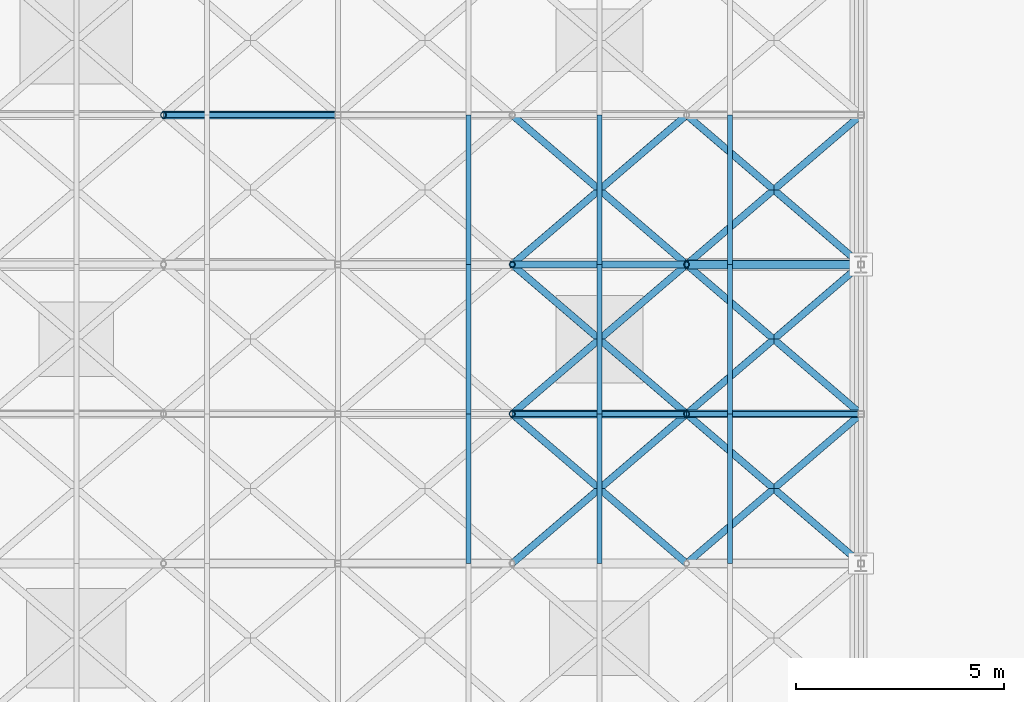
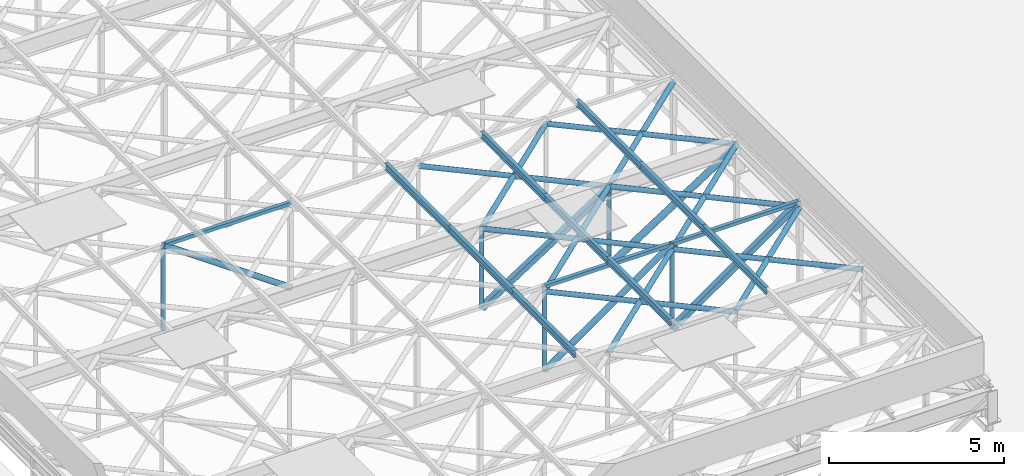
# One storey, part 12 of 45: 34 members.
"""IFC4 building model written with IfcOpenShell, lengths in metres."""

from ifc_helpers import new_model, si_unit, derived_unit, direction, frame, origin, origin_2d, place, context, subcontext, project, spatial, hollow_rectangle, hollow_circle, i_section, extrude, material, material_profile, profile_set, type_object, element, save


model = new_model("IFC4")

# Units and contexts
model_context = context("Model", 3, precision=1e-05, world=origin(), true_north=direction((0.0, 1.0)))
body_context = subcontext(model_context, "Body", "Model", "MODEL_VIEW")
ifc_project = project(units=[si_unit("LENGTHUNIT", "METRE"), si_unit("AREAUNIT", "SQUARE_METRE"), si_unit("VOLUMEUNIT", "CUBIC_METRE"), si_unit("PLANEANGLEUNIT", "RADIAN"), si_unit("MASSUNIT", "GRAM", prefix="KILO"), derived_unit("THERMALTRANSMITTANCEUNIT", [(si_unit("MASSUNIT", "GRAM", prefix="KILO"), 1), (si_unit("TIMEUNIT", "SECOND"), -3), (si_unit("THERMODYNAMICTEMPERATUREUNIT", "KELVIN"), -1)])], contexts=[model_context])

# Site, building, storey
site_placement = place(None, origin())
site = spatial("IfcSite", under=ifc_project, at=site_placement, CompositionType="ELEMENT")
building_placement = place(site_placement, origin())
building = spatial("IfcBuilding", under=site, at=building_placement, Name="Veldstrom Oceanarium and Marine Research Institute", CompositionType="ELEMENT")
storey_placement = place(building_placement, frame((0.0, 0.0, 22.199951171875)))
storey = spatial("IfcBuildingStorey", under=building, at=storey_placement, Name="L04", CompositionType="ELEMENT", Elevation=22.199951171875)

# Members
ifc_material_1 = material(Name="Steel S355JR", Category="steel")
ifc_material_profile_1 = material_profile(ifc_material_1, hollow_circle(Radius=0.109619140625, WallThickness=0.012451171875, at=origin_2d()), Name="CHS 219.1x12.5")
ifc_profile_set_1 = profile_set([ifc_material_profile_1], Name="Steel S355JR")
member_type_1 = type_object("IfcMemberType", Name="STR-MEM-BR1", PredefinedType="BRACE", material=ifc_profile_set_1)
member_1_placement = place(storey_placement, frame((37.800048828125, 28.800048828125, -1.89990234375), z_axis=(0.840267936235, 0.0, 0.542171370819), x_axis=(0.0, 1.0, 0.0)))
element("IfcMember", 1, at=member_1_placement, inside=storey, type_object=member_type_1, Name="Truss Web Diagonal RT05-6", PredefinedType="BRACE", context=body_context, shape_type="SweptSolid", body=[
    extrude(hollow_circle(Radius=0.109619140625, WallThickness=0.012451171875, at=origin_2d()), origin(), (0.0, 0.0, 1.0), 4.998291015625),
])
ifc_material_2 = material(Name="Steel S355JR", Category="steel")
ifc_material_profile_2 = material_profile(ifc_material_2, hollow_circle(Radius=0.096923828125, WallThickness=0.010009765625, at=origin_2d()), Name="CHS 193.7x10")
ifc_profile_set_2 = profile_set([ifc_material_profile_2], Name="Steel S355JR")
member_type_2 = type_object("IfcMemberType", Name="STR-MEM-BR2", PredefinedType="BRACE", material=ifc_profile_set_2)
for number, where, z_axis, x_axis, name in (
    (2, (33.60009765625, 25.199951171875, -1.89990234375), (0.818316866904, 0.0, 0.574767348881), (0.0, 1.0, 0.0), "Truss Web Diagonal RT04-5"),
    (3, (25.199951171875, 32.39990234375, 1.050048828125), (0.818316866904, 0.0, -0.574767348881), (0.0, 1.0, 0.0), "Truss Web Diagonal RT06-3"),
):
    element("IfcMember", number, at=place(storey_placement, frame(where, z_axis=z_axis, x_axis=x_axis)), inside=storey, type_object=member_type_2, Name=name, PredefinedType="BRACE", context=body_context, shape_type="SweptSolid", body=[
        extrude(hollow_circle(Radius=0.096923828125, WallThickness=0.010009765625, at=origin_2d()), origin(), (0.0, 0.0, 1.0), 5.13232421875),
    ])
ifc_material_3 = material(Name="Steel S355JR", Category="steel")
ifc_material_profile_3 = material_profile(ifc_material_3, hollow_circle(Radius=0.084228515625, WallThickness=0.008056640625, at=origin_2d()), Name="CHS 168.3x8")
ifc_profile_set_3 = profile_set([ifc_material_profile_3], Name="Steel S355JR")
member_type_3 = type_object("IfcMemberType", Name="STR-MEM-BR3", PredefinedType="BRACE", material=ifc_profile_set_3)
for number, where, z_axis, x_axis, name in (
    (4, (33.60009765625, 21.60009765625, 0.860107421875), (0.759265948664, 0.650780469282, 0.0), (-0.650780469282, 0.759265948664, 0.0), "Roof Plan Wind Brace WB-03-5"),
    (5, (37.800048828125, 21.60009765625, 0.860107421875), (-0.759265948664, 0.650780469282, 0.0), (-0.650780469282, -0.759265948664, 0.0), "Roof Plan Counter Wind Brace WB-03-5B"),
    (6, (37.800048828125, 21.60009765625, 0.860107421875), (0.759265948664, 0.650780469282, 0.0), (-0.650780469282, 0.759265948664, 0.0), "Roof Plan Wind Brace WB-03-6"),
    (7, (42.0, 21.60009765625, 0.860107421875), (-0.759265948664, 0.650780469282, 0.0), (-0.650780469282, -0.759265948664, 0.0), "Roof Plan Counter Wind Brace WB-03-6B"),
):
    element("IfcMember", number, at=place(storey_placement, frame(where, z_axis=z_axis, x_axis=x_axis)), inside=storey, type_object=member_type_3, Name=name, PredefinedType="BRACE", context=body_context, shape_type="SweptSolid", body=[
        extrude(hollow_circle(Radius=0.084228515625, WallThickness=0.008056640625, at=origin_2d()), origin(), (0.0, 0.0, 1.0), 5.531494140625),
    ])
for number, where, z_axis, x_axis, name in (
    (8, (33.60009765625, 25.199951171875, 0.860107421875), (0.759244140748, 0.650805911728, 0.0), (-0.650805911728, 0.759244140748, 0.0), "Roof Plan Wind Brace WB-04-5"),
    (9, (37.800048828125, 25.199951171875, 0.860107421875), (-0.759244140748, 0.650805911728, 0.0), (-0.650805911728, -0.759244140748, 0.0), "Roof Plan Counter Wind Brace WB-04-5B"),
    (10, (37.800048828125, 25.199951171875, 0.860107421875), (0.759244140748, 0.650805911728, 0.0), (-0.650805911728, 0.759244140748, 0.0), "Roof Plan Wind Brace WB-04-6"),
    (11, (42.0, 25.199951171875, 0.860107421875), (-0.759244140748, 0.650805911728, 0.0), (-0.650805911728, -0.759244140748, 0.0), "Roof Plan Counter Wind Brace WB-04-6B"),
):
    element("IfcMember", number, at=place(storey_placement, frame(where, z_axis=z_axis, x_axis=x_axis)), inside=storey, type_object=member_type_3, Name=name, PredefinedType="BRACE", context=body_context, shape_type="SweptSolid", body=[
        extrude(hollow_circle(Radius=0.084228515625, WallThickness=0.008056640625, at=origin_2d()), origin(), (0.0, 0.0, 1.0), 5.53173828125),
    ])
for number, where, z_axis, x_axis, name in (
    (12, (33.60009765625, 28.800048828125, 0.860107421875), (0.759265948664, 0.650780469282, 0.0), (-0.650780469282, 0.759265948664, 0.0), "Roof Plan Wind Brace WB-05-5"),
    (13, (37.800048828125, 28.800048828125, 0.860107421875), (-0.759265948664, 0.650780469282, 0.0), (-0.650780469282, -0.759265948664, 0.0), "Roof Plan Counter Wind Brace WB-05-5B"),
    (14, (37.800048828125, 28.800048828125, 0.860107421875), (0.759265948664, 0.650780469282, 0.0), (-0.650780469282, 0.759265948664, 0.0), "Roof Plan Wind Brace WB-05-6"),
    (15, (42.0, 28.800048828125, 0.860107421875), (-0.759265948664, 0.650780469282, 0.0), (-0.650780469282, -0.759265948664, 0.0), "Roof Plan Counter Wind Brace WB-05-6B"),
):
    element("IfcMember", number, at=place(storey_placement, frame(where, z_axis=z_axis, x_axis=x_axis)), inside=storey, type_object=member_type_3, Name=name, PredefinedType="BRACE", context=body_context, shape_type="SweptSolid", body=[
        extrude(hollow_circle(Radius=0.084228515625, WallThickness=0.008056640625, at=origin_2d()), origin(), (0.0, 0.0, 1.0), 5.531494140625),
    ])
ifc_material_4 = material(Name="Steel S355JR", Category="steel")
ifc_material_profile_4 = material_profile(ifc_material_4, hollow_rectangle(XDim=0.179931640625, YDim=0.179931640625, WallThickness=0.010009765625, at=origin_2d()), Name="SHS 180x180x10")
ifc_profile_set_4 = profile_set([ifc_material_profile_4], Name="Steel S355JR")
member_type_4 = type_object("IfcMemberType", Name="STR-MEM-BR4", PredefinedType="BRACE", material=ifc_profile_set_4)
member_2_placement = place(storey_placement, frame((37.800048828125, 25.199951171875, -1.89990234375), z_axis=(0.818316866904, 0.0, 0.574767348881), x_axis=(0.0, 1.0, 0.0)))
element("IfcMember", 16, at=member_2_placement, inside=storey, type_object=member_type_4, Name="Truss Web Diagonal RT04-6", PredefinedType="BRACE", context=body_context, shape_type="SweptSolid", body=[
    extrude(hollow_rectangle(XDim=0.179931640625, YDim=0.179931640625, WallThickness=0.010009765625, at=origin_2d()), origin(), (0.0, 0.0, 1.0), 5.13232421875),
])
member_3_placement = place(storey_placement, frame((33.60009765625, 28.800048828125, -1.89990234375), z_axis=(0.840267936235, 0.0, 0.542171370819), x_axis=(0.0, 1.0, 0.0)))
element("IfcMember", 17, at=member_3_placement, inside=storey, type_object=member_type_4, Name="Truss Web Diagonal RT05-5", PredefinedType="BRACE", context=body_context, shape_type="SweptSolid", body=[
    extrude(hollow_rectangle(XDim=0.179931640625, YDim=0.179931640625, WallThickness=0.010009765625, at=origin_2d()), origin(), (0.0, 0.0, 1.0), 4.998291015625),
])
ifc_material_5 = material(Name="Steel S355JR", Category="steel")
ifc_material_profile_5 = material_profile(ifc_material_5, i_section(OverallWidth=0.1201171875, OverallDepth=0.239990234375, WebThickness=0.006103515625, FlangeThickness=0.009765625, FilletRadius=0.014892578125, at=origin_2d()), Name="IPE 240")
ifc_profile_set_5 = profile_set([ifc_material_profile_5], Name="Steel S355JR")
member_type_5 = type_object("IfcMemberType", Name="STR-MEM-PR1", PredefinedType="PURLIN", material=ifc_profile_set_5)
for number, where, z_axis, x_axis, name in (
    (18, (32.550048828125, 21.60009765625, 1.22998046875), (0.0, 1.0, 0.0), (-1.0, 0.0, 0.0), "Hall Roof Purlin PR-04-6"),
    (19, (35.699951171875, 21.60009765625, 1.22998046875), (0.0, 1.0, 0.0), (-1.0, 0.0, 0.0), "Hall Roof Purlin PR-04-7"),
    (20, (38.85009765625, 21.60009765625, 1.22998046875), (0.0, 1.0, 0.0), (-1.0, 0.0, 0.0), "Hall Roof Purlin PR-04-8"),
):
    element("IfcMember", number, at=place(storey_placement, frame(where, z_axis=z_axis, x_axis=x_axis)), inside=storey, type_object=member_type_5, Name=name, PredefinedType="PURLIN", context=body_context, shape_type="SweptSolid", body=[
        extrude(i_section(OverallWidth=0.1201171875, OverallDepth=0.239990234375, WebThickness=0.006103515625, FlangeThickness=0.009765625, FilletRadius=0.014892578125, at=origin_2d()), origin(), (0.0, 0.0, 1.0), 3.599853515625),
    ])
for number, where, z_axis, x_axis, name in (
    (21, (32.550048828125, 25.199951171875, 1.22998046875), (0.0, 1.0, 0.0), (-1.0, 0.0, 0.0), "Hall Roof Purlin PR-05-6"),
    (22, (35.699951171875, 25.199951171875, 1.22998046875), (0.0, 1.0, 0.0), (-1.0, 0.0, 0.0), "Hall Roof Purlin PR-05-7"),
    (23, (38.85009765625, 25.199951171875, 1.22998046875), (0.0, 1.0, 0.0), (-1.0, 0.0, 0.0), "Hall Roof Purlin PR-05-8"),
):
    element("IfcMember", number, at=place(storey_placement, frame(where, z_axis=z_axis, x_axis=x_axis)), inside=storey, type_object=member_type_5, Name=name, PredefinedType="PURLIN", context=body_context, shape_type="SweptSolid", body=[
        extrude(i_section(OverallWidth=0.1201171875, OverallDepth=0.239990234375, WebThickness=0.006103515625, FlangeThickness=0.009765625, FilletRadius=0.014892578125, at=origin_2d()), origin(), (0.0, 0.0, 1.0), 3.60009765625),
    ])
for number, where, z_axis, x_axis, name in (
    (24, (32.550048828125, 28.800048828125, 1.22998046875), (0.0, 1.0, 0.0), (-1.0, 0.0, 0.0), "Hall Roof Purlin PR-06-6"),
    (25, (35.699951171875, 28.800048828125, 1.22998046875), (0.0, 1.0, 0.0), (-1.0, 0.0, 0.0), "Hall Roof Purlin PR-06-7"),
    (26, (38.85009765625, 28.800048828125, 1.22998046875), (0.0, 1.0, 0.0), (-1.0, 0.0, 0.0), "Hall Roof Purlin PR-06-8"),
):
    element("IfcMember", number, at=place(storey_placement, frame(where, z_axis=z_axis, x_axis=x_axis)), inside=storey, type_object=member_type_5, Name=name, PredefinedType="PURLIN", context=body_context, shape_type="SweptSolid", body=[
        extrude(i_section(OverallWidth=0.1201171875, OverallDepth=0.239990234375, WebThickness=0.006103515625, FlangeThickness=0.009765625, FilletRadius=0.014892578125, at=origin_2d()), origin(), (0.0, 0.0, 1.0), 3.599853515625),
    ])
ifc_material_6 = material(Name="Steel S355JR", Category="steel")
ifc_material_profile_6 = material_profile(ifc_material_6, hollow_circle(Radius=0.06982421875, WallThickness=0.008056640625, at=origin_2d()), Name="CHS 139.7x8")
ifc_profile_set_6 = profile_set([ifc_material_profile_6], Name="Steel S355JR")
member_type_6 = type_object("IfcMemberType", Name="STR-MEM-PS2", PredefinedType="POST", material=ifc_profile_set_6)
for number, where, z_axis, x_axis, name in (
    (27, (33.60009765625, 25.199951171875, -1.89990234375), (0.0, 0.0, 1.0), (1.0, 0.0, 0.0), "Truss Vertical Post RT04-5"),
    (28, (37.800048828125, 25.199951171875, -1.89990234375), (0.0, 0.0, 1.0), (1.0, 0.0, 0.0), "Truss Vertical Post RT04-6"),
):
    element("IfcMember", number, at=place(storey_placement, frame(where, z_axis=z_axis, x_axis=x_axis)), inside=storey, type_object=member_type_6, Name=name, PredefinedType="POST", context=body_context, shape_type="SweptSolid", body=[
        extrude(hollow_circle(Radius=0.06982421875, WallThickness=0.008056640625, at=origin_2d()), origin(), (0.0, 0.0, 1.0), 2.949951171875),
    ])
for number, where, z_axis, x_axis, name in (
    (29, (33.60009765625, 28.800048828125, -1.89990234375), (0.0, 0.0, 1.0), (1.0, 0.0, 0.0), "Truss Vertical Post RT05-5"),
    (30, (37.800048828125, 28.800048828125, -1.89990234375), (0.0, 0.0, 1.0), (1.0, 0.0, 0.0), "Truss Vertical Post RT05-6"),
):
    element("IfcMember", number, at=place(storey_placement, frame(where, z_axis=z_axis, x_axis=x_axis)), inside=storey, type_object=member_type_6, Name=name, PredefinedType="POST", context=body_context, shape_type="SweptSolid", body=[
        extrude(hollow_circle(Radius=0.06982421875, WallThickness=0.008056640625, at=origin_2d()), origin(), (0.0, 0.0, 1.0), 2.7099609375),
    ])
member_4_placement = place(storey_placement, frame((25.199951171875, 32.39990234375, -1.89990234375), z_axis=(0.0, 0.0, 1.0), x_axis=(1.0, 0.0, 0.0)))
element("IfcMember", 31, at=member_4_placement, inside=storey, type_object=member_type_6, Name="Truss Vertical Post RT06-3", PredefinedType="POST", context=body_context, shape_type="SweptSolid", body=[
    extrude(hollow_circle(Radius=0.06982421875, WallThickness=0.008056640625, at=origin_2d()), origin(), (0.0, 0.0, 1.0), 2.949951171875),
])
ifc_material_7 = material(Name="Steel S355JR", Category="steel")
ifc_material_profile_7 = material_profile(ifc_material_7, hollow_rectangle(XDim=0.1201171875, YDim=0.1201171875, WallThickness=0.008056640625, at=origin_2d()), Name="SHS 120x120x8")
ifc_profile_set_7 = profile_set([ifc_material_profile_7], Name="Steel S355JR")
member_type_7 = type_object("IfcMemberType", Name="STR-MEM-RF1", PredefinedType="RAFTER", material=ifc_profile_set_7)
for number, where, z_axis, x_axis, name in (
    (32, (33.60009765625, 25.199951171875, 1.050048828125), (1.0, 0.0, 0.0), (0.0, 1.0, 0.0), "Truss Top Rafter RT04-5"),
    (33, (37.800048828125, 25.199951171875, 1.050048828125), (1.0, 0.0, 0.0), (0.0, 1.0, 0.0), "Truss Top Rafter RT04-6"),
    (34, (25.199951171875, 32.39990234375, 1.050048828125), (1.0, 0.0, 0.0), (0.0, 1.0, 0.0), "Truss Top Rafter RT06-3"),
):
    element("IfcMember", number, at=place(storey_placement, frame(where, z_axis=z_axis, x_axis=x_axis)), inside=storey, type_object=member_type_7, Name=name, PredefinedType="RAFTER", context=body_context, shape_type="SweptSolid", body=[
        extrude(hollow_rectangle(XDim=0.1201171875, YDim=0.1201171875, WallThickness=0.008056640625, at=origin_2d()), origin(), (0.0, 0.0, 1.0), 4.199951171875),
    ])

save(model, "model.ifc")
